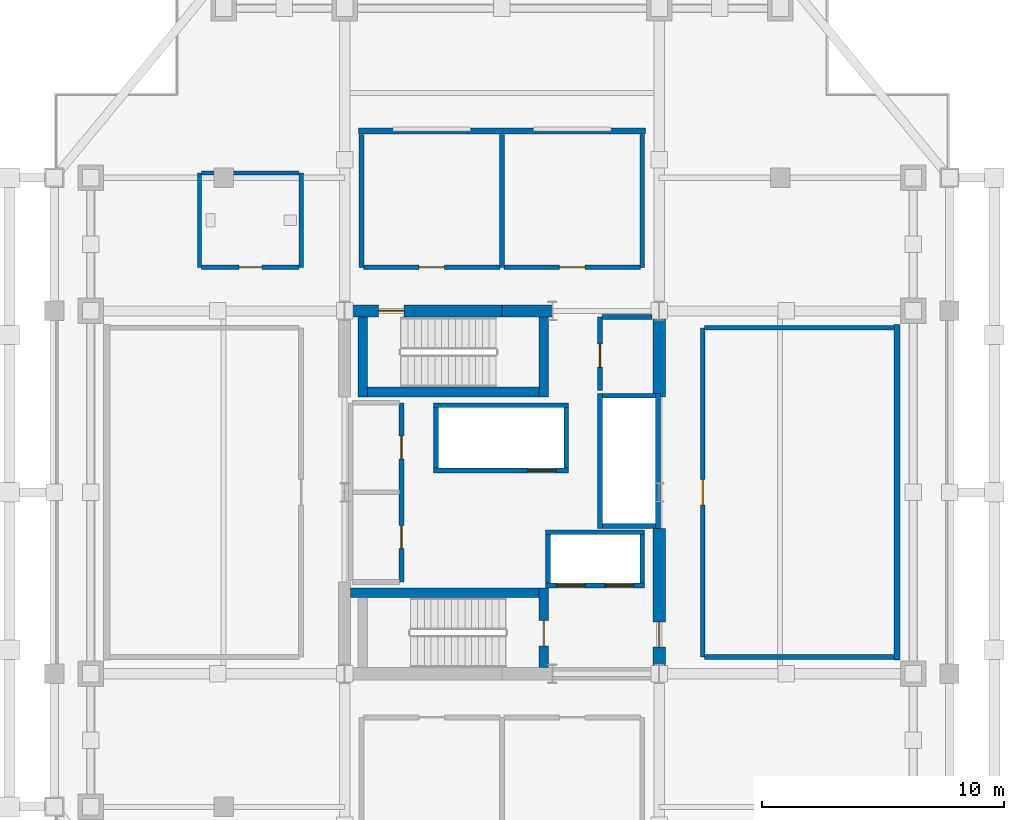
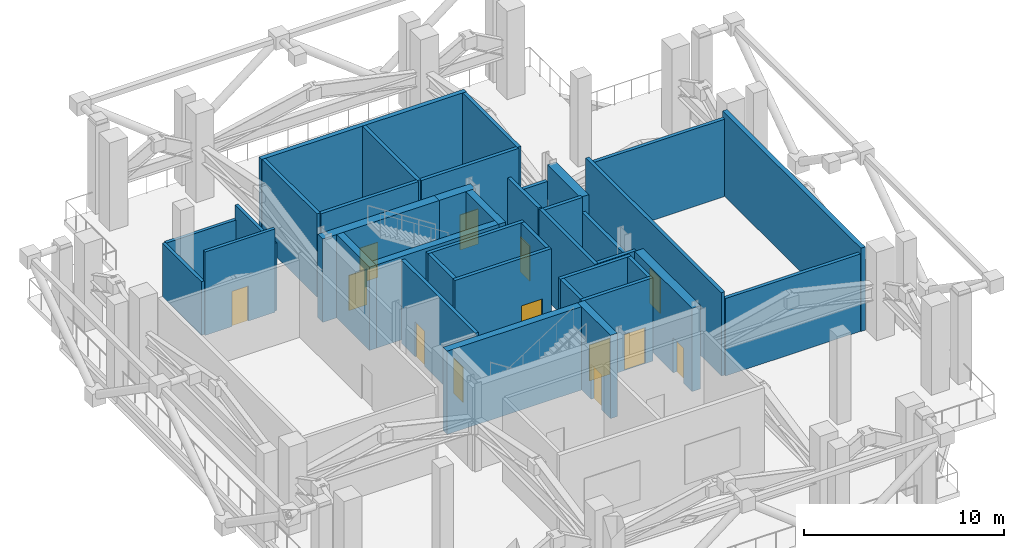
# One storey, part 4 of 9: 38 walls, 13 doors, 13 openings.
"""IFC4 building model written with IfcOpenShell, lengths in metres."""

from ifc_helpers import new_model, si_unit, direction, frame, frame_2d, origin, place, context, subcontext, project, spatial, rectangle, extrude, material, layer, layer_set, type_object, element, fill, save


model = new_model("IFC4")

# Units and contexts
model_context = context("Model", 3, precision=1e-05, world=origin(), true_north=direction((0.0, 1.0)))
body_context = subcontext(model_context, "Body", "Model", "MODEL_VIEW")
ifc_project = project(units=[si_unit("LENGTHUNIT", "METRE"), si_unit("AREAUNIT", "SQUARE_METRE"), si_unit("VOLUMEUNIT", "CUBIC_METRE"), si_unit("PLANEANGLEUNIT", "RADIAN"), si_unit("MASSUNIT", "GRAM", prefix="KILO")], contexts=[model_context])

# Site, building, storey
site_placement = place(None, origin())
site = spatial("IfcSite", under=ifc_project, at=site_placement, CompositionType="ELEMENT")
building_placement = place(site_placement, origin())
building = spatial("IfcBuilding", under=site, at=building_placement, Name="Barlavira Tower and Art Museum", CompositionType="ELEMENT")
storey_placement = place(building_placement, frame((0.0, 0.0, 212.39990234375)))
storey = spatial("IfcBuildingStorey", under=building, at=storey_placement, Name="L55", CompositionType="ELEMENT", Elevation=212.39990234375)

# Wall, opening, door
ifc_material_1 = material(Name="Concrete C60", Category="concrete")
ifc_layer_1 = layer(ifc_material_1, 0.5, Name="Concrete C60")
ifc_layer_set_1 = layer_set([ifc_layer_1], Name="Concrete C60")
wall_type_1 = type_object("IfcWallType", Name="Core Structural Shear Wall 500 Concrete C60", PredefinedType="SHEAR", material=ifc_layer_set_1)
wall_1_placement = place(storey_placement, frame((-6.75, 7.5, 0.0), z_axis=(0.0, 0.0, 1.0), x_axis=(1.0, 0.0, 0.0)))
wall_1 = element("IfcWall", 1, at=wall_1_placement, inside=storey, type_object=wall_type_1, Name="L55 Core Shear Wall CS-NW", PredefinedType="SHEAR", context=body_context, shape_type="SweptSolid", body=[
    extrude(rectangle(XDim=6.75, YDim=0.5, at=frame_2d((3.375, 0.0))), origin(), (0.0, 0.0, 1.0), 5.10009765625),
])
opening_1_placement = place(wall_1_placement, frame((1.64990234375, 0.0, 0.0)))
opening_1 = element("IfcOpeningElement", 2, at=opening_1_placement, cuts=wall_1, Name="Opening FD-90", PredefinedType="OPENING", context=body_context, shape_type="SweptSolid", body=[
    extrude(rectangle(XDim=1.050048828125, YDim=2.14990234375, at=frame_2d((0.52490234375, 1.074951171875))), frame((0.0, 0.260009765625, 0.0), z_axis=(0.0, -1.0, 0.0), x_axis=(1.0, 0.0, 0.0)), (0.0, 0.0, 1.0), 0.52001953125),
])
ifc_material_2 = material(Name="Brushed stainless steel", Category="steel")
door_type_1 = type_object("IfcDoorType", Name="Stair and Refuge Fire Door 1050x2150 FD90S", OperationType="NOTDEFINED", PredefinedType="DOOR", material=ifc_material_2)
door_1_placement = place(opening_1_placement, origin())
door_1 = element("IfcDoor", 3, at=door_1_placement, inside=storey, type_object=door_type_1, Name="L55 Stair ST-T2 Fire Door", OperationType="SINGLE_SWING_LEFT", OverallHeight=2.14990234375, OverallWidth=1.050048828125, PredefinedType="DOOR", context=body_context, shape_type="SweptSolid", body=[
    extrude(rectangle(XDim=1.050048828125, YDim=2.14990234375, at=frame_2d((0.52490234375, 1.074951171875))), frame((0.0, 0.02490234375, 0.0), z_axis=(0.0, -1.0, 0.0), x_axis=(1.0, 0.0, 0.0)), (0.0, 0.0, 1.0), 0.050048828125),
])
fill(opening_1, door_1)

# Wall
wall_2_placement = place(storey_placement, frame((0.0, 7.5, 0.0), z_axis=(0.0, 0.0, 1.0), x_axis=(1.0, 0.0, 0.0)))
element("IfcWall", 4, at=wall_2_placement, inside=storey, type_object=wall_type_1, Name="L55 Core Shear Wall CS-EN", PredefinedType="SHEAR", context=body_context, shape_type="SweptSolid", body=[
    extrude(rectangle(XDim=2.080078125, YDim=0.5, at=frame_2d((1.0400390625, 0.0))), origin(), (0.0, 0.0, 1.0), 5.10009765625),
])

# Wall, opening, door
wall_3_placement = place(storey_placement, frame((6.5, -7.25, 0.0), z_axis=(0.0, 0.0, 1.0), x_axis=(0.0, 1.0, 0.0)))
wall_3 = element("IfcWall", 5, at=wall_3_placement, inside=storey, type_object=wall_type_1, Name="L55 Core Shear Wall CS-E1", PredefinedType="SHEAR", context=body_context, shape_type="SweptSolid", body=[
    extrude(rectangle(XDim=5.75, YDim=0.5, at=frame_2d((2.875, 0.0))), origin(), (0.0, 0.0, 1.0), 5.10009765625),
])
opening_2_placement = place(wall_3_placement, frame((0.85009765625, 0.0, 0.0)))
opening_2 = element("IfcOpeningElement", 6, at=opening_2_placement, cuts=wall_3, Name="Opening FD-90", PredefinedType="OPENING", context=body_context, shape_type="SweptSolid", body=[
    extrude(rectangle(XDim=1.050048828125, YDim=2.14990234375, at=frame_2d((0.52490234375, 1.074951171875))), frame((0.0, 0.260009765625, 0.0), z_axis=(0.0, -1.0, 0.0), x_axis=(1.0, 0.0, 0.0)), (0.0, 0.0, 1.0), 0.52001953125),
])
door_2_placement = place(opening_2_placement, origin())
door_2 = element("IfcDoor", 7, at=door_2_placement, inside=storey, type_object=door_type_1, Name="L55 Firefighting Lobby Entry Fire Door", OperationType="SINGLE_SWING_LEFT", OverallHeight=2.14990234375, OverallWidth=1.050048828125, PredefinedType="DOOR", context=body_context, shape_type="SweptSolid", body=[
    extrude(rectangle(XDim=1.050048828125, YDim=2.14990234375, at=frame_2d((0.52490234375, 1.074951171875))), frame((0.0, 0.02490234375, 0.0), z_axis=(0.0, -1.0, 0.0), x_axis=(1.0, 0.0, 0.0)), (0.0, 0.0, 1.0), 0.050048828125),
])
fill(opening_2, door_2)

# Walls
wall_4_placement = place(storey_placement, frame((6.5, 3.949951171875, 0.0), z_axis=(0.0, 0.0, 1.0), x_axis=(0.0, 1.0, 0.0)))
element("IfcWall", 8, at=wall_4_placement, inside=storey, type_object=wall_type_1, Name="L55 Core Shear Wall CS-E2", PredefinedType="SHEAR", context=body_context, shape_type="SweptSolid", body=[
    extrude(rectangle(XDim=3.300048828125, YDim=0.5, at=frame_2d((1.64990234375, 0.0))), origin(), (0.0, 0.0, 1.0), 5.10009765625),
])
ifc_material_3 = material(Name="Precast concrete C40", Category="concrete")
ifc_layer_2 = layer(ifc_material_3, 0.260009765625, Name="Precast concrete C40")
ifc_layer_set_2 = layer_set([ifc_layer_2], Name="Precast concrete C40")
wall_type_2 = type_object("IfcWallType", Name="Crown Acoustic Plant Enclosure Wall 260 Precast Concrete C40", PredefinedType="SOLIDWALL", material=ifc_layer_set_2)
wall_5_placement = place(storey_placement, frame((16.330078125, -6.929931640625, 0.0), z_axis=(0.0, 0.0, 1.0), x_axis=(0.0, 1.0, 0.0)))
element("IfcWall", 9, at=wall_5_placement, inside=storey, type_object=wall_type_2, Name="L55 Wind-Floor Plant/Refuge Wall E", PredefinedType="SOLIDWALL", context=body_context, shape_type="SweptSolid", body=[
    extrude(rectangle(XDim=13.85986328125, YDim=0.260009765625, at=frame_2d((6.929931640625, 0.0))), origin(), (0.0, 0.0, 1.0), 5.10009765625),
])
wall_6_placement = place(storey_placement, frame((-5.929931640625, 14.929931640625, 0.0), z_axis=(0.0, 0.0, 1.0), x_axis=(1.0, 0.0, 0.0)))
element("IfcWall", 10, at=wall_6_placement, inside=storey, type_object=wall_type_2, Name="L55 Wind-Floor Plant/Refuge Wall N", PredefinedType="SOLIDWALL", context=body_context, shape_type="SweptSolid", body=[
    extrude(rectangle(XDim=11.85986328125, YDim=0.260009765625, at=frame_2d((5.929931640625, 0.0))), origin(), (0.0, 0.0, 1.0), 5.10009765625),
])
ifc_material_4 = material(Name="Autoclaved aerated concrete masonry", Category="masonry")
ifc_layer_3 = layer(ifc_material_4, 0.199951171875, Name="Autoclaved aerated concrete masonry")
ifc_layer_set_3 = layer_set([ifc_layer_3], Name="Autoclaved aerated concrete masonry")
wall_type_3 = type_object("IfcWallType", Name="Fire Compartment and Shaft Wall 200", PredefinedType="SOLIDWALL", material=ifc_layer_set_3)
wall_7_placement = place(storey_placement, frame((4.050048828125, -1.489990234375, 0.0), z_axis=(0.0, 0.0, 1.0), x_axis=(0.0, 1.0, 0.0)))
element("IfcWall", 11, at=wall_7_placement, inside=storey, type_object=wall_type_3, Name="L55 Mid-Rise Lift Front Shaft Wall", PredefinedType="SOLIDWALL", context=body_context, shape_type="SweptSolid", body=[
    extrude(rectangle(XDim=5.580078125, YDim=0.199951171875, at=frame_2d((2.7900390625, 0.0))), origin(), (0.0, 0.0, 1.0), 5.10009765625),
])
wall_8_placement = place(storey_placement, frame((6.449951171875, -1.489990234375, 0.0), z_axis=(0.0, 0.0, 1.0), x_axis=(0.0, 1.0, 0.0)))
element("IfcWall", 12, at=wall_8_placement, inside=storey, type_object=wall_type_3, Name="L55 Mid-Rise Lift Back Shaft Wall", PredefinedType="SOLIDWALL", context=body_context, shape_type="SweptSolid", body=[
    extrude(rectangle(XDim=5.580078125, YDim=0.199951171875, at=frame_2d((2.7900390625, 0.0))), origin(), (0.0, 0.0, 1.0), 4.153076171875),
])
for number, where, z_axis, x_axis, name in (
    (13, (4.14990234375, -1.389892578125, 0.0), (0.0, 0.0, 1.0), (1.0, 0.0, 0.0), "L55 Mid-Rise Lift South Shaft Wall"),
    (14, (4.14990234375, 3.989990234375, 0.0), (0.0, 0.0, 1.0), (1.0, 0.0, 0.0), "L55 Mid-Rise Lift North Shaft Wall"),
):
    element("IfcWall", number, at=place(storey_placement, frame(where, z_axis=z_axis, x_axis=x_axis)), inside=storey, type_object=wall_type_3, Name=name, PredefinedType="SOLIDWALL", context=body_context, shape_type="SweptSolid", body=[
        extrude(rectangle(XDim=2.2001953125, YDim=0.199951171875, at=frame_2d((1.10009765625, 0.0))), origin(), (0.0, 0.0, 1.0), 5.10009765625),
    ])

# Wall, opening, door
wall_9_placement = place(storey_placement, frame((-2.820068359375, 0.89990234375, 0.0), z_axis=(0.0, 0.0, 1.0), x_axis=(1.0, 0.0, 0.0)))
wall_9 = element("IfcWall", 15, at=wall_9_placement, inside=storey, type_object=wall_type_3, Name="L55 High-Rise & Service Lift Front Wall", PredefinedType="SOLIDWALL", context=body_context, shape_type="SweptSolid", body=[
    extrude(rectangle(XDim=5.580078125, YDim=0.199951171875, at=frame_2d((2.7900390625, 0.0))), origin(), (0.0, 0.0, 1.0), 5.10009765625),
])
opening_3_placement = place(wall_9_placement, frame((3.860107421875, 0.0, 0.0)))
opening_3 = element("IfcOpeningElement", 16, at=opening_3_placement, cuts=wall_9, Name="Opening LD-F", PredefinedType="OPENING", context=body_context, shape_type="SweptSolid", body=[
    extrude(rectangle(XDim=1.199951171875, YDim=2.199951171875, at=frame_2d((0.60009765625, 1.10009765625))), frame((0.0, 0.10986328125, 0.0), z_axis=(0.0, -1.0, 0.0), x_axis=(1.0, 0.0, 0.0)), (0.0, 0.0, 1.0), 0.219970703125),
])
door_type_2 = type_object("IfcDoorType", Name="Firefighting and Service Lift Sliding Door 1200x2200 FD120", OperationType="NOTDEFINED", PredefinedType="DOOR", material=ifc_material_2)
door_3_placement = place(opening_3_placement, origin())
door_3 = element("IfcDoor", 17, at=door_3_placement, inside=storey, type_object=door_type_2, Name="L55 Stretcher Service Lift SL1 Sliding Door", OperationType="DOUBLE_DOOR_SLIDING", OverallHeight=2.199951171875, OverallWidth=1.199951171875, PredefinedType="DOOR", context=body_context, shape_type="SweptSolid", body=[
    extrude(rectangle(XDim=1.199951171875, YDim=2.199951171875, at=frame_2d((0.60009765625, 1.10009765625))), frame((0.0, 0.02490234375, 0.0), z_axis=(0.0, -1.0, 0.0), x_axis=(1.0, 0.0, 0.0)), (0.0, 0.0, 1.0), 0.050048828125),
])
fill(opening_3, door_3)

# Walls
wall_10_placement = place(storey_placement, frame((-2.820068359375, 3.60009765625, 0.0), z_axis=(0.0, 0.0, 1.0), x_axis=(1.0, 0.0, 0.0)))
element("IfcWall", 18, at=wall_10_placement, inside=storey, type_object=wall_type_3, Name="L55 High-Rise & Service Lift Back Wall", PredefinedType="SOLIDWALL", context=body_context, shape_type="SweptSolid", body=[
    extrude(rectangle(XDim=5.580078125, YDim=0.199951171875, at=frame_2d((2.7900390625, 0.0))), origin(), (0.0, 0.0, 1.0), 5.10009765625),
])
for number, where, z_axis, x_axis, name in (
    (19, (-2.719970703125, 1.0, 0.0), (0.0, 0.0, 1.0), (0.0, 1.0, 0.0), "L55 High-Rise & Service Lift West Wall"),
    (20, (2.659912109375, 1.0, 0.0), (0.0, 0.0, 1.0), (0.0, 1.0, 0.0), "L55 High-Rise & Service Lift East Wall"),
):
    element("IfcWall", number, at=place(storey_placement, frame(where, z_axis=z_axis, x_axis=x_axis)), inside=storey, type_object=wall_type_3, Name=name, PredefinedType="SOLIDWALL", context=body_context, shape_type="SweptSolid", body=[
        extrude(rectangle(XDim=2.5, YDim=0.199951171875, at=frame_2d((1.25, 0.0))), origin(), (0.0, 0.0, 1.0), 5.10009765625),
    ])

# Wall, openings, doors
wall_11_placement = place(storey_placement, frame((1.800048828125, -3.85009765625, 0.0), z_axis=(0.0, 0.0, 1.0), x_axis=(1.0, 0.0, 0.0)))
wall_11 = element("IfcWall", 21, at=wall_11_placement, inside=storey, type_object=wall_type_3, Name="L55 Firefighting Lift Front Shaft Wall", PredefinedType="SOLIDWALL", context=body_context, shape_type="SweptSolid", body=[
    extrude(rectangle(XDim=4.099853515625, YDim=0.199951171875, at=frame_2d((2.0498046875, 0.0))), origin(), (0.0, 0.0, 1.0), 5.10009765625),
])
opening_4_placement = place(wall_11_placement, frame((0.449951171875, 0.0, 0.0)))
opening_4 = element("IfcOpeningElement", 22, at=opening_4_placement, cuts=wall_11, Name="Opening LD-F", PredefinedType="OPENING", context=body_context, shape_type="SweptSolid", body=[
    extrude(rectangle(XDim=1.199951171875, YDim=2.199951171875, at=frame_2d((0.60009765625, 1.10009765625))), frame((0.0, 0.10986328125, 0.0), z_axis=(0.0, -1.0, 0.0), x_axis=(1.0, 0.0, 0.0)), (0.0, 0.0, 1.0), 0.219970703125),
])
opening_5_placement = place(wall_11_placement, frame((2.449951171875, 0.0, 0.0)))
opening_5 = element("IfcOpeningElement", 23, at=opening_5_placement, cuts=wall_11, Name="Opening LD-F", PredefinedType="OPENING", context=body_context, shape_type="SweptSolid", body=[
    extrude(rectangle(XDim=1.199951171875, YDim=2.199951171875, at=frame_2d((0.60009765625, 1.10009765625))), frame((0.0, 0.10986328125, 0.0), z_axis=(0.0, -1.0, 0.0), x_axis=(1.0, 0.0, 0.0)), (0.0, 0.0, 1.0), 0.219970703125),
])
door_4_placement = place(opening_4_placement, origin())
door_4 = element("IfcDoor", 24, at=door_4_placement, inside=storey, type_object=door_type_2, Name="L55 Firefighting Lift FF1 Sliding Door", OperationType="DOUBLE_DOOR_SLIDING", OverallHeight=2.199951171875, OverallWidth=1.199951171875, PredefinedType="DOOR", context=body_context, shape_type="SweptSolid", body=[
    extrude(rectangle(XDim=1.199951171875, YDim=2.199951171875, at=frame_2d((0.60009765625, 1.10009765625))), frame((0.0, 0.02490234375, 0.0), z_axis=(0.0, -1.0, 0.0), x_axis=(1.0, 0.0, 0.0)), (0.0, 0.0, 1.0), 0.050048828125),
])
fill(opening_4, door_4)
door_5_placement = place(opening_5_placement, origin())
door_5 = element("IfcDoor", 25, at=door_5_placement, inside=storey, type_object=door_type_2, Name="L55 Firefighting Lift FF2 Sliding Door", OperationType="DOUBLE_DOOR_SLIDING", OverallHeight=2.199951171875, OverallWidth=1.199951171875, PredefinedType="DOOR", context=body_context, shape_type="SweptSolid", body=[
    extrude(rectangle(XDim=1.199951171875, YDim=2.199951171875, at=frame_2d((0.60009765625, 1.10009765625))), frame((0.0, 0.02490234375, 0.0), z_axis=(0.0, -1.0, 0.0), x_axis=(1.0, 0.0, 0.0)), (0.0, 0.0, 1.0), 0.050048828125),
])
fill(opening_5, door_5)

# Walls
wall_12_placement = place(storey_placement, frame((1.800048828125, -1.64990234375, 0.0), z_axis=(0.0, 0.0, 1.0), x_axis=(1.0, 0.0, 0.0)))
element("IfcWall", 26, at=wall_12_placement, inside=storey, type_object=wall_type_3, Name="L55 Firefighting Lift Back Shaft Wall", PredefinedType="SOLIDWALL", context=body_context, shape_type="SweptSolid", body=[
    extrude(rectangle(XDim=4.099853515625, YDim=0.199951171875, at=frame_2d((2.0498046875, 0.0))), origin(), (0.0, 0.0, 1.0), 5.10009765625),
])
for number, where, z_axis, x_axis, name in (
    (27, (1.89990234375, -3.75, 0.0), (0.0, 0.0, 1.0), (0.0, 1.0, 0.0), "L55 Firefighting Lift West Shaft Wall"),
    (28, (5.800048828125, -3.75, 0.0), (0.0, 0.0, 1.0), (0.0, 1.0, 0.0), "L55 Firefighting Lift East Shaft Wall"),
):
    element("IfcWall", number, at=place(storey_placement, frame(where, z_axis=z_axis, x_axis=x_axis)), inside=storey, type_object=wall_type_3, Name=name, PredefinedType="SOLIDWALL", context=body_context, shape_type="SweptSolid", body=[
        extrude(rectangle(XDim=2.0, YDim=0.199951171875, at=frame_2d((1.0, 0.0))), origin(), (0.0, 0.0, 1.0), 5.10009765625),
    ])
wall_13_placement = place(storey_placement, frame((-5.800048828125, 9.300048828125, 0.0), z_axis=(0.0, 0.0, 1.0), x_axis=(0.0, 1.0, 0.0)))
element("IfcWall", 29, at=wall_13_placement, inside=storey, type_object=wall_type_3, Name="L55 Partition Wall 6", PredefinedType="SOLIDWALL", context=body_context, shape_type="SweptSolid", body=[
    extrude(rectangle(XDim=5.494873046875, YDim=0.199951171875, at=frame_2d((2.74755859375, 0.0))), origin(), (0.0, 0.0, 1.0), 5.10009765625),
])

# Wall, openings, doors
wall_14_placement = place(storey_placement, frame((-4.14990234375, -3.699951171875, 0.0), z_axis=(0.0, 0.0, 1.0), x_axis=(0.0, 1.0, 0.0)))
wall_14 = element("IfcWall", 30, at=wall_14_placement, inside=storey, type_object=wall_type_3, Name="L55 Partition Wall 7", PredefinedType="SOLIDWALL", context=body_context, shape_type="SweptSolid", body=[
    extrude(rectangle(XDim=7.39990234375, YDim=0.199951171875, at=frame_2d((3.699951171875, 0.0))), origin(), (0.0, 0.0, 1.0), 5.10009765625),
])
opening_6_placement = place(wall_14_placement, frame((1.375, 0.0, 0.0)))
opening_6 = element("IfcOpeningElement", 31, at=opening_6_placement, cuts=wall_14, Name="Opening FD-60", PredefinedType="OPENING", context=body_context, shape_type="SweptSolid", body=[
    extrude(rectangle(XDim=0.949951171875, YDim=2.14990234375, at=frame_2d((0.47509765625, 1.074951171875))), frame((0.0, 0.10986328125, 0.0), z_axis=(0.0, -1.0, 0.0), x_axis=(1.0, 0.0, 0.0)), (0.0, 0.0, 1.0), 0.219970703125),
])
opening_7_placement = place(wall_14_placement, frame((5.074951171875, 0.0, 0.0)))
opening_7 = element("IfcOpeningElement", 32, at=opening_7_placement, cuts=wall_14, Name="Opening FD-60", PredefinedType="OPENING", context=body_context, shape_type="SweptSolid", body=[
    extrude(rectangle(XDim=0.949951171875, YDim=2.14990234375, at=frame_2d((0.47509765625, 1.074951171875))), frame((0.0, 0.10986328125, 0.0), z_axis=(0.0, -1.0, 0.0), x_axis=(1.0, 0.0, 0.0)), (0.0, 0.0, 1.0), 0.219970703125),
])
door_type_3 = type_object("IfcDoorType", Name="Apartment Entrance and Riser Fire Door 950x2150 FD60S", OperationType="NOTDEFINED", PredefinedType="DOOR", material=ifc_material_2)
door_6_placement = place(opening_6_placement, origin())
door_6 = element("IfcDoor", 33, at=door_6_placement, inside=storey, type_object=door_type_3, Name="Reclaimed Core Linen and Amenity Store Door", OperationType="SINGLE_SWING_LEFT", OverallHeight=2.14990234375, OverallWidth=0.949951171875, PredefinedType="DOOR", context=body_context, shape_type="SweptSolid", body=[
    extrude(rectangle(XDim=0.949951171875, YDim=2.14990234375, at=frame_2d((0.47509765625, 1.074951171875))), frame((0.0, 0.02490234375, 0.0), z_axis=(0.0, -1.0, 0.0), x_axis=(1.0, 0.0, 0.0)), (0.0, 0.0, 1.0), 0.050048828125),
])
fill(opening_6, door_6)
door_7_placement = place(opening_7_placement, origin())
door_7 = element("IfcDoor", 34, at=door_7_placement, inside=storey, type_object=door_type_3, Name="Reclaimed Core Telecom and BMS Room Door", OperationType="SINGLE_SWING_RIGHT", OverallHeight=2.14990234375, OverallWidth=0.949951171875, PredefinedType="DOOR", context=body_context, shape_type="SweptSolid", body=[
    extrude(rectangle(XDim=0.949951171875, YDim=2.14990234375, at=frame_2d((0.47509765625, 1.074951171875))), frame((0.0, 0.02490234375, 0.0), z_axis=(0.0, -1.0, 0.0), x_axis=(1.0, 0.0, 0.0)), (0.0, 0.0, 1.0), 0.050048828125),
])
fill(opening_7, door_7)

# Wall
wall_15_placement = place(storey_placement, frame((0.0, 9.300048828125, 0.0), z_axis=(0.0, 0.0, 1.0), x_axis=(0.0, 1.0, 0.0)))
element("IfcWall", 35, at=wall_15_placement, inside=storey, type_object=wall_type_3, Name="L55 Partition Wall 9", PredefinedType="SOLIDWALL", context=body_context, shape_type="SweptSolid", body=[
    extrude(rectangle(XDim=5.494873046875, YDim=0.199951171875, at=frame_2d((2.74755859375, 0.0))), origin(), (0.0, 0.0, 1.0), 5.10009765625),
])

# Wall, opening, door
wall_16_placement = place(storey_placement, frame((4.050048828125, 4.199951171875, 0.0), z_axis=(0.0, 0.0, 1.0), x_axis=(0.0, 1.0, 0.0)))
wall_16 = element("IfcWall", 36, at=wall_16_placement, inside=storey, type_object=wall_type_3, Name="L55 Partition Wall 10", PredefinedType="SOLIDWALL", context=body_context, shape_type="SweptSolid", body=[
    extrude(rectangle(XDim=3.050048828125, YDim=0.199951171875, at=frame_2d((1.52490234375, 0.0))), origin(), (0.0, 0.0, 1.0), 5.10009765625),
])
opening_8_placement = place(wall_16_placement, frame((0.97509765625, 0.0, 0.0)))
opening_8 = element("IfcOpeningElement", 37, at=opening_8_placement, cuts=wall_16, Name="Opening FD-60", PredefinedType="OPENING", context=body_context, shape_type="SweptSolid", body=[
    extrude(rectangle(XDim=0.949951171875, YDim=2.14990234375, at=frame_2d((0.47509765625, 1.074951171875))), frame((0.0, 0.10986328125, 0.0), z_axis=(0.0, -1.0, 0.0), x_axis=(1.0, 0.0, 0.0)), (0.0, 0.0, 1.0), 0.219970703125),
])
door_8_placement = place(opening_8_placement, origin())
door_8 = element("IfcDoor", 38, at=door_8_placement, inside=storey, type_object=door_type_3, Name="Combined Electrical and Telecom Plant Room Door", OperationType="SINGLE_SWING_LEFT", OverallHeight=2.14990234375, OverallWidth=0.949951171875, PredefinedType="DOOR", context=body_context, shape_type="SweptSolid", body=[
    extrude(rectangle(XDim=0.949951171875, YDim=2.14990234375, at=frame_2d((0.47509765625, 1.074951171875))), frame((0.0, 0.02490234375, 0.0), z_axis=(0.0, -1.0, 0.0), x_axis=(1.0, 0.0, 0.0)), (0.0, 0.0, 1.0), 0.050048828125),
])
fill(opening_8, door_8)

# Wall
wall_17_placement = place(storey_placement, frame((5.800048828125, 9.300048828125, 0.0), z_axis=(0.0, 0.0, 1.0), x_axis=(0.0, 1.0, 0.0)))
element("IfcWall", 39, at=wall_17_placement, inside=storey, type_object=wall_type_3, Name="L55 Partition Wall 12", PredefinedType="SOLIDWALL", context=body_context, shape_type="SweptSolid", body=[
    extrude(rectangle(XDim=5.494873046875, YDim=0.199951171875, at=frame_2d((2.74755859375, 0.0))), origin(), (0.0, 0.0, 1.0), 5.10009765625),
])

# Wall, opening, door
wall_18_placement = place(storey_placement, frame((8.300048828125, -6.800048828125, 0.0), z_axis=(0.0, 0.0, 1.0), x_axis=(0.0, 1.0, 0.0)))
wall_18 = element("IfcWall", 40, at=wall_18_placement, inside=storey, type_object=wall_type_3, Name="L55 Partition Wall 13", PredefinedType="SOLIDWALL", context=body_context, shape_type="SweptSolid", body=[
    extrude(rectangle(XDim=13.60009765625, YDim=0.199951171875, at=frame_2d((6.800048828125, 0.0))), origin(), (0.0, 0.0, 1.0), 5.10009765625),
])
opening_9_placement = place(wall_18_placement, frame((6.27490234375, 0.0, 0.0)))
opening_9 = element("IfcOpeningElement", 41, at=opening_9_placement, cuts=wall_18, Name="Opening FD-90", PredefinedType="OPENING", context=body_context, shape_type="SweptSolid", body=[
    extrude(rectangle(XDim=1.050048828125, YDim=2.14990234375, at=frame_2d((0.52490234375, 1.074951171875))), frame((0.0, 0.10986328125, 0.0), z_axis=(0.0, -1.0, 0.0), x_axis=(1.0, 0.0, 0.0)), (0.0, 0.0, 1.0), 0.219970703125),
])
door_9_placement = place(opening_9_placement, origin())
door_9 = element("IfcDoor", 42, at=door_9_placement, inside=storey, type_object=door_type_1, Name="L55 East Pressurised Sky Refuge Area Door", OperationType="SINGLE_SWING_LEFT", OverallHeight=2.14990234375, OverallWidth=1.050048828125, PredefinedType="DOOR", context=body_context, shape_type="SweptSolid", body=[
    extrude(rectangle(XDim=1.050048828125, YDim=2.14990234375, at=frame_2d((0.52490234375, 1.074951171875))), frame((0.0, 0.02490234375, 0.0), z_axis=(0.0, -1.0, 0.0), x_axis=(1.0, 0.0, 0.0)), (0.0, 0.0, 1.0), 0.050048828125),
])
fill(opening_9, door_9)

# Walls
for number, where, z_axis, x_axis, name in (
    (43, (8.3798828125, -6.800048828125, 0.0), (0.0, 0.0, 1.0), (1.0, 0.0, 0.0), "L55 Partition Wall 17"),
    (44, (8.3798828125, 6.800048828125, 0.0), (0.0, 0.0, 1.0), (1.0, 0.0, 0.0), "L55 Partition Wall 22"),
):
    element("IfcWall", number, at=place(storey_placement, frame(where, z_axis=z_axis, x_axis=x_axis)), inside=storey, type_object=wall_type_3, Name=name, PredefinedType="SOLIDWALL", context=body_context, shape_type="SweptSolid", body=[
        extrude(rectangle(XDim=7.815185546875, YDim=0.199951171875, at=frame_2d((3.90771484375, 0.0))), origin(), (0.0, 0.0, 1.0), 4.738037109375),
    ])
wall_19_placement = place(storey_placement, frame((4.1298828125, 7.25, 0.0), z_axis=(0.0, 0.0, 1.0), x_axis=(1.0, 0.0, 0.0)))
element("IfcWall", 45, at=wall_19_placement, inside=storey, type_object=wall_type_3, Name="L55 Partition Wall 23", PredefinedType="SOLIDWALL", context=body_context, shape_type="SweptSolid", body=[
    extrude(rectangle(XDim=2.070068359375, YDim=0.199951171875, at=frame_2d((1.03515625, 0.0))), origin(), (0.0, 0.0, 1.0), 4.153076171875),
])

# Wall, opening, door
wall_20_placement = place(storey_placement, frame((-5.719970703125, 9.300048828125, 0.0), z_axis=(0.0, 0.0, 1.0), x_axis=(1.0, 0.0, 0.0)))
wall_20 = element("IfcWall", 46, at=wall_20_placement, inside=storey, type_object=wall_type_3, Name="L55 Partition Wall 25", PredefinedType="SOLIDWALL", context=body_context, shape_type="SweptSolid", body=[
    extrude(rectangle(XDim=5.639892578125, YDim=0.199951171875, at=frame_2d((2.81982421875, 0.0))), origin(), (0.0, 0.0, 1.0), 5.10009765625),
])
opening_10_placement = place(wall_20_placement, frame((2.294921875, 0.0, 0.0)))
opening_10 = element("IfcOpeningElement", 47, at=opening_10_placement, cuts=wall_20, Name="Opening FD-90", PredefinedType="OPENING", context=body_context, shape_type="SweptSolid", body=[
    extrude(rectangle(XDim=1.050048828125, YDim=2.14990234375, at=frame_2d((0.52490234375, 1.074951171875))), frame((0.0, 0.10986328125, 0.0), z_axis=(0.0, -1.0, 0.0), x_axis=(1.0, 0.0, 0.0)), (0.0, 0.0, 1.0), 0.219970703125),
])
door_10_placement = place(opening_10_placement, origin())
door_10 = element("IfcDoor", 48, at=door_10_placement, inside=storey, type_object=door_type_1, Name="L55 Domestic Water Tank and Transfer Pump Room Door", OperationType="SINGLE_SWING_RIGHT", OverallHeight=2.14990234375, OverallWidth=1.050048828125, PredefinedType="DOOR", context=body_context, shape_type="SweptSolid", body=[
    extrude(rectangle(XDim=1.050048828125, YDim=2.14990234375, at=frame_2d((0.52490234375, 1.074951171875))), frame((0.0, 0.02490234375, 0.0), z_axis=(0.0, -1.0, 0.0), x_axis=(1.0, 0.0, 0.0)), (0.0, 0.0, 1.0), 0.050048828125),
])
fill(opening_10, door_10)

wall_21_placement = place(storey_placement, frame((0.080078125, 9.300048828125, 0.0), z_axis=(0.0, 0.0, 1.0), x_axis=(1.0, 0.0, 0.0)))
wall_21 = element("IfcWall", 49, at=wall_21_placement, inside=storey, type_object=wall_type_3, Name="L55 Partition Wall 26", PredefinedType="SOLIDWALL", context=body_context, shape_type="SweptSolid", body=[
    extrude(rectangle(XDim=5.639892578125, YDim=0.199951171875, at=frame_2d((2.81982421875, 0.0))), origin(), (0.0, 0.0, 1.0), 5.10009765625),
])
opening_11_placement = place(wall_21_placement, frame((2.294921875, 0.0, 0.0)))
opening_11 = element("IfcOpeningElement", 50, at=opening_11_placement, cuts=wall_21, Name="Opening FD-90", PredefinedType="OPENING", context=body_context, shape_type="SweptSolid", body=[
    extrude(rectangle(XDim=1.050048828125, YDim=2.14990234375, at=frame_2d((0.52490234375, 1.074951171875))), frame((0.0, 0.10986328125, 0.0), z_axis=(0.0, -1.0, 0.0), x_axis=(1.0, 0.0, 0.0)), (0.0, 0.0, 1.0), 0.219970703125),
])
door_11_placement = place(opening_11_placement, origin())
door_11 = element("IfcDoor", 51, at=door_11_placement, inside=storey, type_object=door_type_1, Name="L55 HV Transformer and Switchgear Plant Room Door", OperationType="SINGLE_SWING_LEFT", OverallHeight=2.14990234375, OverallWidth=1.050048828125, PredefinedType="DOOR", context=body_context, shape_type="SweptSolid", body=[
    extrude(rectangle(XDim=1.050048828125, YDim=2.14990234375, at=frame_2d((0.52490234375, 1.074951171875))), frame((0.0, 0.02490234375, 0.0), z_axis=(0.0, -1.0, 0.0), x_axis=(1.0, 0.0, 0.0)), (0.0, 0.0, 1.0), 0.050048828125),
])
fill(opening_11, door_11)

# Walls
ifc_material_5 = material(Name="Gypsum acoustic stud partition", Category="gypsum")
ifc_layer_4 = layer(ifc_material_5, 0.179931640625, Name="Gypsum acoustic stud partition")
ifc_layer_set_4 = layer_set([ifc_layer_4], Name="Gypsum acoustic stud partition")
wall_type_4 = type_object("IfcWallType", Name="Inter-Tenancy Party Partition Wall 180", PredefinedType="PARTITIONING", material=ifc_layer_set_4)
wall_22_placement = place(storey_placement, frame((-12.5, 9.300048828125, 0.0), z_axis=(0.0, 0.0, 1.0), x_axis=(0.0, 1.0, 0.0)))
element("IfcWall", 52, at=wall_22_placement, inside=storey, type_object=wall_type_4, Name="L55 Partition Wall 1", PredefinedType="PARTITIONING", context=body_context, shape_type="SweptSolid", body=[
    extrude(rectangle(XDim=3.89990234375, YDim=0.179931640625, at=frame_2d((1.949951171875, 0.0))), origin(), (0.0, 0.0, 1.0), 3.28515625),
])
wall_23_placement = place(storey_placement, frame((-8.300048828125, 9.300048828125, 0.0), z_axis=(0.0, 0.0, 1.0), x_axis=(0.0, 1.0, 0.0)))
element("IfcWall", 53, at=wall_23_placement, inside=storey, type_object=wall_type_4, Name="L55 Partition Wall 3", PredefinedType="PARTITIONING", context=body_context, shape_type="SweptSolid", body=[
    extrude(rectangle(XDim=3.89990234375, YDim=0.179931640625, at=frame_2d((1.949951171875, 0.0))), origin(), (0.0, 0.0, 1.0), 4.153076171875),
])

# Wall, opening, door
wall_24_placement = place(storey_placement, frame((-12.419921875, 9.300048828125, 0.0), z_axis=(0.0, 0.0, 1.0), x_axis=(1.0, 0.0, 0.0)))
wall_24 = element("IfcWall", 54, at=wall_24_placement, inside=storey, type_object=wall_type_4, Name="L55 Partition Wall 24", PredefinedType="PARTITIONING", context=body_context, shape_type="SweptSolid", body=[
    extrude(rectangle(XDim=4.0400390625, YDim=0.179931640625, at=frame_2d((2.02001953125, 0.0))), origin(), (0.0, 0.0, 1.0), 5.10009765625),
])
opening_12_placement = place(wall_24_placement, frame((1.544921875, 0.0, 0.0)))
opening_12 = element("IfcOpeningElement", 55, at=opening_12_placement, cuts=wall_24, Name="Opening FD-60", PredefinedType="OPENING", context=body_context, shape_type="SweptSolid", body=[
    extrude(rectangle(XDim=0.949951171875, YDim=2.14990234375, at=frame_2d((0.47509765625, 1.074951171875))), frame((0.0, 0.10009765625, 0.0), z_axis=(0.0, -1.0, 0.0), x_axis=(1.0, 0.0, 0.0)), (0.0, 0.0, 1.0), 0.199951171875),
])
door_12_placement = place(opening_12_placement, origin())
door_12 = element("IfcDoor", 56, at=door_12_placement, inside=storey, type_object=door_type_3, Name="L55 Maintenance Staff Accessible WC Door", OperationType="SINGLE_SWING_RIGHT", OverallHeight=2.14990234375, OverallWidth=0.949951171875, PredefinedType="DOOR", context=body_context, shape_type="SweptSolid", body=[
    extrude(rectangle(XDim=0.949951171875, YDim=2.14990234375, at=frame_2d((0.47509765625, 1.074951171875))), frame((0.0, 0.02490234375, 0.0), z_axis=(0.0, -1.0, 0.0), x_axis=(1.0, 0.0, 0.0)), (0.0, 0.0, 1.0), 0.050048828125),
])
fill(opening_12, door_12)

# Walls
wall_25_placement = place(storey_placement, frame((-12.419921875, 13.199951171875, 0.0), z_axis=(0.0, 0.0, 1.0), x_axis=(1.0, 0.0, 0.0)))
element("IfcWall", 57, at=wall_25_placement, inside=storey, type_object=wall_type_4, Name="L55 Partition Wall 27", PredefinedType="PARTITIONING", context=body_context, shape_type="SweptSolid", body=[
    extrude(rectangle(XDim=4.0400390625, YDim=0.179931640625, at=frame_2d((2.02001953125, 0.0))), origin(), (0.0, 0.0, 1.0), 3.28515625),
])
ifc_material_6 = material(Name="Concrete C55", Category="concrete")
ifc_layer_5 = layer(ifc_material_6, 0.39990234375, Name="Concrete C55")
ifc_layer_set_5 = layer_set([ifc_layer_5], Name="Concrete C55")
wall_type_5 = type_object("IfcWallType", Name="Upper Core Shear Wall 400 Concrete C55", PredefinedType="SHEAR", material=ifc_layer_set_5)
wall_26_placement = place(storey_placement, frame((-6.25, -4.14990234375, 0.0), z_axis=(0.0, 0.0, 1.0), x_axis=(1.0, 0.0, 0.0)))
element("IfcWall", 58, at=wall_26_placement, inside=storey, type_object=wall_type_5, Name="L55 ST-T1 North Shaft Wall", PredefinedType="SHEAR", context=body_context, shape_type="SweptSolid", body=[
    extrude(rectangle(XDim=7.780029296875, YDim=0.39990234375, at=frame_2d((3.89013671875, 0.0))), origin(), (0.0, 0.0, 1.0), 5.10009765625),
])

# Wall, opening, door
wall_27_placement = place(storey_placement, frame((1.72998046875, -7.25, 0.0), z_axis=(0.0, 0.0, 1.0), x_axis=(0.0, 1.0, 0.0)))
wall_27 = element("IfcWall", 59, at=wall_27_placement, inside=storey, type_object=wall_type_5, Name="L55 ST-T1 East Landing Wall", PredefinedType="SHEAR", context=body_context, shape_type="SweptSolid", body=[
    extrude(rectangle(XDim=3.300048828125, YDim=0.39990234375, at=frame_2d((1.64990234375, 0.0))), origin(), (0.0, 0.0, 1.0), 5.10009765625),
])
opening_13_placement = place(wall_27_placement, frame((0.89990234375, 0.0, 0.0)))
opening_13 = element("IfcOpeningElement", 60, at=opening_13_placement, cuts=wall_27, Name="Opening FD-90", PredefinedType="OPENING", context=body_context, shape_type="SweptSolid", body=[
    extrude(rectangle(XDim=1.050048828125, YDim=2.14990234375, at=frame_2d((0.52490234375, 1.074951171875))), frame((0.0, 0.2099609375, 0.0), z_axis=(0.0, -1.0, 0.0), x_axis=(1.0, 0.0, 0.0)), (0.0, 0.0, 1.0), 0.419921875),
])
door_13_placement = place(opening_13_placement, origin())
door_13 = element("IfcDoor", 61, at=door_13_placement, inside=storey, type_object=door_type_1, Name="L55 Stair ST-T1 Fire Door", OperationType="SINGLE_SWING_RIGHT", OverallHeight=2.14990234375, OverallWidth=1.050048828125, PredefinedType="DOOR", context=body_context, shape_type="SweptSolid", body=[
    extrude(rectangle(XDim=1.050048828125, YDim=2.14990234375, at=frame_2d((0.52490234375, 1.074951171875))), frame((0.0, 0.02490234375, 0.0), z_axis=(0.0, -1.0, 0.0), x_axis=(1.0, 0.0, 0.0)), (0.0, 0.0, 1.0), 0.050048828125),
])
fill(opening_13, door_13)

# Walls
wall_28_placement = place(storey_placement, frame((-5.550048828125, 4.14990234375, 0.0), z_axis=(0.0, 0.0, 1.0), x_axis=(1.0, 0.0, 0.0)))
element("IfcWall", 62, at=wall_28_placement, inside=storey, type_object=wall_type_5, Name="L55 ST-T2 South Shaft Wall", PredefinedType="SHEAR", context=body_context, shape_type="SweptSolid", body=[
    extrude(rectangle(XDim=7.080078125, YDim=0.39990234375, at=frame_2d((3.5400390625, 0.0))), origin(), (0.0, 0.0, 1.0), 5.10009765625),
])
for number, where, z_axis, x_axis, name in (
    (63, (1.72998046875, 3.949951171875, 0.0), (0.0, 0.0, 1.0), (0.0, 1.0, 0.0), "L55 ST-T2 East Half-Landing Wall"),
    (64, (-5.75, 3.949951171875, 0.0), (0.0, 0.0, 1.0), (0.0, 1.0, 0.0), "L55 ST-T2 West Shaft Wall"),
):
    element("IfcWall", number, at=place(storey_placement, frame(where, z_axis=z_axis, x_axis=x_axis)), inside=storey, type_object=wall_type_5, Name=name, PredefinedType="SHEAR", context=body_context, shape_type="SweptSolid", body=[
        extrude(rectangle(XDim=3.300048828125, YDim=0.39990234375, at=frame_2d((1.64990234375, 0.0))), origin(), (0.0, 0.0, 1.0), 5.10009765625),
    ])

save(model, "model.ifc")
